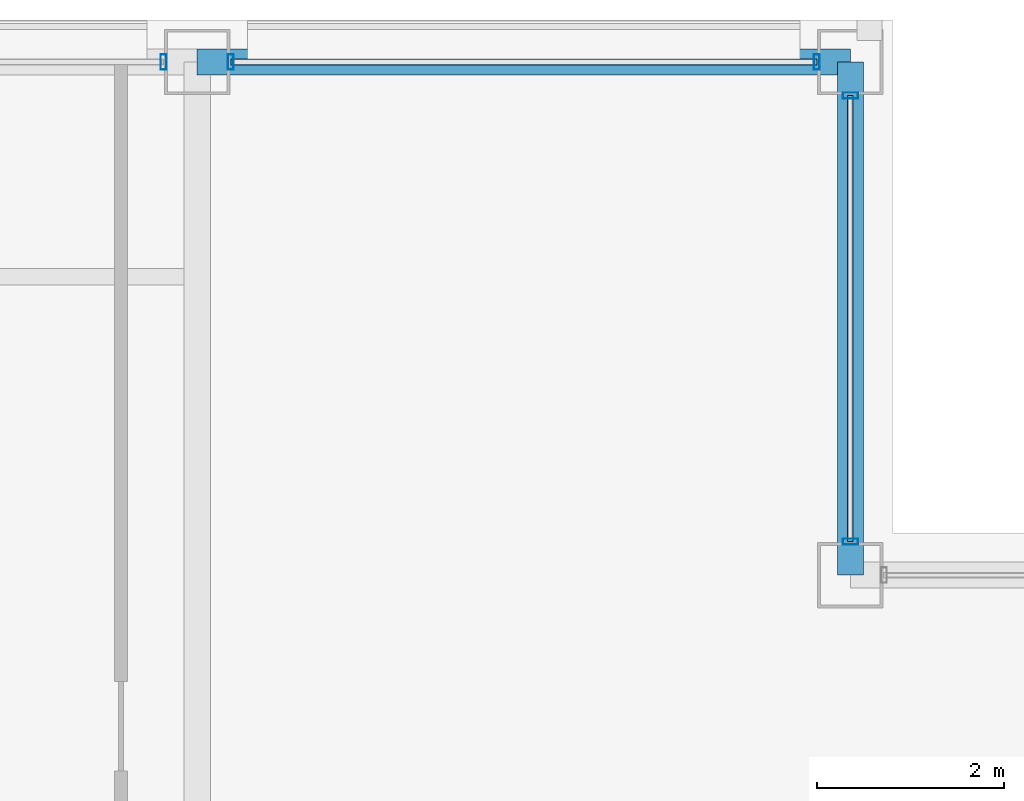
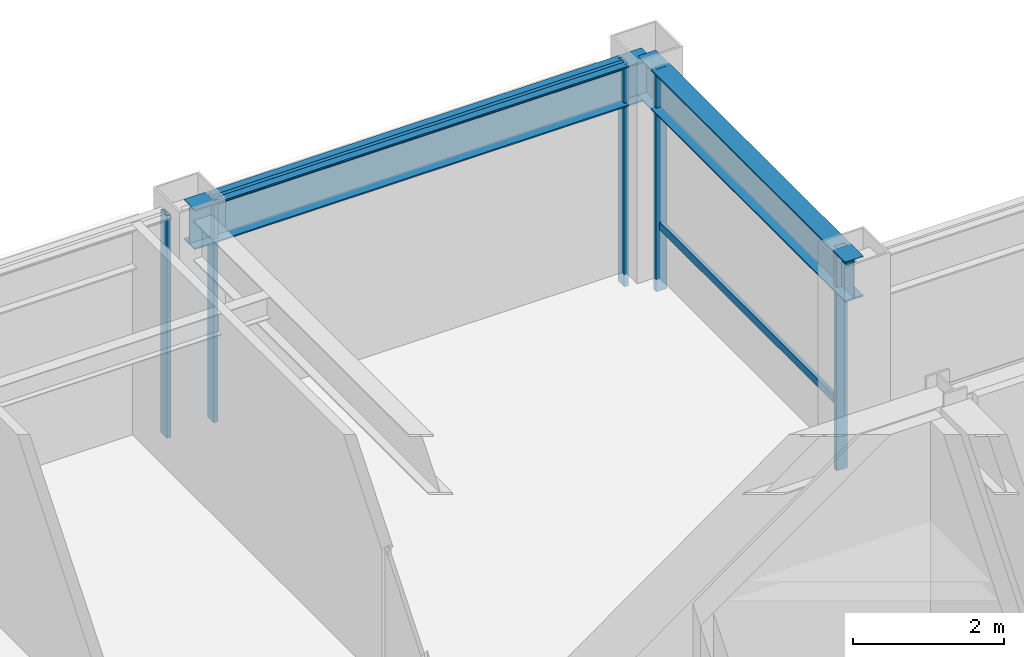
# One storey, part 21 of 28: 7 members, 2 beams, 3 elements without a shape of their own.
"""IFC4 building model written with IfcOpenShell, lengths in metres."""

from ifc_helpers import new_model, si_unit, direction, frame, origin, origin_2d, place, context, subcontext, project, spatial, hollow_rectangle, i_section, extrude, material, layer, layer_set, material_profile, profile_set, type_object, element, aggregate, save


model = new_model("IFC4")

# Units and contexts
model_context = context("Model", 3, precision=1e-05, world=origin(), true_north=direction((0.0, 1.0)))
body_context = subcontext(model_context, "Body", "Model", "MODEL_VIEW")
ifc_project = project(units=[si_unit("LENGTHUNIT", "METRE"), si_unit("AREAUNIT", "SQUARE_METRE"), si_unit("VOLUMEUNIT", "CUBIC_METRE"), si_unit("PLANEANGLEUNIT", "RADIAN"), si_unit("MASSUNIT", "GRAM", prefix="KILO")], contexts=[model_context])

# Site, building, storey
site_placement = place(None, origin())
site = spatial("IfcSite", under=ifc_project, at=site_placement, CompositionType="ELEMENT")
building_placement = place(site_placement, origin())
building = spatial("IfcBuilding", under=site, at=building_placement, Name="Brelmoor Portico Tower", CompositionType="ELEMENT")
storey_placement = place(building_placement, frame((0.0, 0.0, 191.10009765625)))
storey = spatial("IfcBuildingStorey", under=building, at=storey_placement, Name="L50", CompositionType="ELEMENT", Elevation=191.10009765625)

# Beams
ifc_material_1 = material(Name="Steel Q355B", Category="steel")
ifc_material_profile_1 = material_profile(ifc_material_1, i_section(OverallWidth=0.280029296875, OverallDepth=0.64990234375, WebThickness=0.012939453125, FlangeThickness=0.02197265625, at=origin_2d()), Name="HN 650x280x13x22")
ifc_profile_set_1 = profile_set([ifc_material_profile_1], Name="Steel Q355B")
beam_type = type_object("IfcBeamType", Name="BM-SP-650", PredefinedType="SPANDREL", material=ifc_profile_set_1)
beam_1_placement = place(storey_placement, frame((8.050048828125, 18.550048828125, 3.074951171875), z_axis=(1.0, 0.0, 0.0), x_axis=(0.0, 1.0, 0.0)))
element("IfcBeam", 1, at=beam_1_placement, inside=storey, type_object=beam_type, Name="L50 Perimeter Spandrel Beam SP-10", PredefinedType="SPANDREL", context=body_context, shape_type="SweptSolid", body=[
    extrude(i_section(OverallWidth=0.280029296875, OverallDepth=0.64990234375, WebThickness=0.012939453125, FlangeThickness=0.02197265625, at=origin_2d()), origin(), (0.0, 0.0, 1.0), 7.0),
])
beam_2_placement = place(storey_placement, frame((15.050048828125, 13.050048828125, 3.074951171875), z_axis=(0.0, 1.0, 0.0), x_axis=(-1.0, 0.0, 0.0)))
element("IfcBeam", 2, at=beam_2_placement, inside=storey, type_object=beam_type, Name="L50 Perimeter Spandrel Beam SP-17", PredefinedType="SPANDREL", context=body_context, shape_type="SweptSolid", body=[
    extrude(i_section(OverallWidth=0.280029296875, OverallDepth=0.64990234375, WebThickness=0.012939453125, FlangeThickness=0.02197265625, at=origin_2d()), origin(), (0.0, 0.0, 1.0), 5.5),
])

# Curtain wall, member
ifc_material_2 = material(Name="Anodised Aluminium Alloy 6063-T6", Category="aluminium")
ifc_layer_1 = layer(ifc_material_2, 0.179931640625)
ifc_layer_set_1 = layer_set([ifc_layer_1], Name="Anodised Aluminium Alloy 6063-T6")
curtain_wall_type_1 = type_object("IfcCurtainWallType", Name="CW-TOWER-Z3-XB", PredefinedType="NOTDEFINED", material=ifc_layer_set_1)
curtain_wall_1_placement = place(storey_placement, origin())
curtain_wall_1 = element("IfcCurtainWall", 3, at=curtain_wall_1_placement, inside=storey, type_object=curtain_wall_type_1, Name="L50 Curtain Wall CW-L50-02-2", PredefinedType="NOTDEFINED")
ifc_material_profile_2 = material_profile(ifc_material_2, hollow_rectangle(XDim=0.06494140625, YDim=0.1650390625, WallThickness=0.00390625, at=origin_2d()), Name="ALU MULLION 65x165")
ifc_profile_set_2 = profile_set([ifc_material_profile_2], Name="Anodised Aluminium Alloy 6063-T6")
member_type_1 = type_object("IfcMemberType", Name="MB-CW-MULL-165", PredefinedType="MULLION", material=ifc_profile_set_2)
member_1_placement = place(storey_placement, frame((7.68994140625, 18.550048828125, -0.2001953125), z_axis=(0.0, 0.0, 1.0), x_axis=(1.0, 0.0, 0.0)))
member_1 = element("IfcMember", 4, at=member_1_placement, type_object=member_type_1, Name="CW-L50-02-2 Mullion 01", PredefinedType="MULLION", context=body_context, shape_type="SweptSolid", body=[
    extrude(hollow_rectangle(XDim=0.06494140625, YDim=0.1650390625, WallThickness=0.00390625, at=origin_2d()), origin(), (0.0, 0.0, 1.0), 3.60009765625),
])
aggregate(curtain_wall_1, [member_1])

# Curtain wall, members
curtain_wall_2_placement = place(storey_placement, origin())
curtain_wall_2 = element("IfcCurtainWall", 5, at=curtain_wall_2_placement, inside=storey, type_object=curtain_wall_type_1, Name="L50 Curtain Wall CW-L50-02-3", PredefinedType="NOTDEFINED")
member_2_placement = place(storey_placement, frame((8.409912109375, 18.550048828125, -0.2001953125), z_axis=(0.0, 0.0, 1.0), x_axis=(1.0, 0.0, 0.0)))
member_2 = element("IfcMember", 6, at=member_2_placement, type_object=member_type_1, Name="CW-L50-02-3 Mullion 00", PredefinedType="MULLION", context=body_context, shape_type="SweptSolid", body=[
    extrude(hollow_rectangle(XDim=0.06494140625, YDim=0.1650390625, WallThickness=0.00390625, at=origin_2d()), origin(), (0.0, 0.0, 1.0), 3.60009765625),
])
member_3_placement = place(storey_placement, frame((14.68994140625, 18.550048828125, -0.2001953125), z_axis=(0.0, 0.0, 1.0), x_axis=(1.0, 0.0, 0.0)))
member_3 = element("IfcMember", 7, at=member_3_placement, type_object=member_type_1, Name="CW-L50-02-3 Mullion 01", PredefinedType="MULLION", context=body_context, shape_type="SweptSolid", body=[
    extrude(hollow_rectangle(XDim=0.06494140625, YDim=0.1650390625, WallThickness=0.00390625, at=origin_2d()), origin(), (0.0, 0.0, 1.0), 3.60009765625),
])

ifc_layer_2 = layer(ifc_material_2, 0.179931640625)
ifc_layer_set_2 = layer_set([ifc_layer_2], Name="Anodised Aluminium Alloy 6063-T6")
curtain_wall_type_2 = type_object("IfcCurtainWallType", Name="CW-NOTCH-CHAMFER", PredefinedType="NOTDEFINED", material=ifc_layer_set_2)
curtain_wall_3_placement = place(storey_placement, origin())
curtain_wall_3 = element("IfcCurtainWall", 8, at=curtain_wall_3_placement, inside=storey, type_object=curtain_wall_type_2, Name="L50 Curtain Wall CWN-L50-NEV", PredefinedType="NOTDEFINED")
member_4_placement = place(storey_placement, frame((15.050048828125, 13.409912109375, -0.2001953125), z_axis=(0.0, 0.0, 1.0), x_axis=(0.0, 1.0, 0.0)))
member_4 = element("IfcMember", 9, at=member_4_placement, type_object=member_type_1, Name="CWN-L50-NEV Mullion 00", PredefinedType="MULLION", context=body_context, shape_type="SweptSolid", body=[
    extrude(hollow_rectangle(XDim=0.06494140625, YDim=0.1650390625, WallThickness=0.00390625, at=origin_2d()), origin(), (0.0, 0.0, 1.0), 3.60009765625),
])
member_5_placement = place(storey_placement, frame((15.050048828125, 18.18994140625, -0.2001953125), z_axis=(0.0, 0.0, 1.0), x_axis=(0.0, 1.0, 0.0)))
member_5 = element("IfcMember", 10, at=member_5_placement, type_object=member_type_1, Name="CWN-L50-NEV Mullion 01", PredefinedType="MULLION", context=body_context, shape_type="SweptSolid", body=[
    extrude(hollow_rectangle(XDim=0.06494140625, YDim=0.1650390625, WallThickness=0.00390625, at=origin_2d()), origin(), (0.0, 0.0, 1.0), 3.60009765625),
])

# Member
ifc_material_profile_3 = material_profile(ifc_material_2, hollow_rectangle(XDim=0.06005859375, YDim=0.125, WallThickness=0.00341796875, at=origin_2d()), Name="ALU TRANSOM 60x125")
ifc_profile_set_3 = profile_set([ifc_material_profile_3], Name="Anodised Aluminium Alloy 6063-T6")
member_type_2 = type_object("IfcMemberType", Name="MB-CW-TRAN-125", PredefinedType="USERDEFINED", material=ifc_profile_set_3)
member_6_placement = place(storey_placement, frame((8.409912109375, 18.550048828125, 3.33740234375), z_axis=(1.0, 0.0, 0.0), x_axis=(0.0, 1.0, 0.0)))
member_6 = element("IfcMember", 11, at=member_6_placement, type_object=member_type_2, Name="CW-L50-02-3 Transom 1-00", ObjectType="TRANSOM", PredefinedType="USERDEFINED", context=body_context, shape_type="SweptSolid", body=[
    extrude(hollow_rectangle(XDim=0.06005859375, YDim=0.125, WallThickness=0.00341796875, at=origin_2d()), origin(), (0.0, 0.0, 1.0), 6.280029296875),
])

aggregate(curtain_wall_2, [member_2, member_3, member_6])

member_7_placement = place(storey_placement, frame((15.050048828125, 13.409912109375, 0.849853515625), z_axis=(0.0, 1.0, 0.0), x_axis=(-1.0, 0.0, 0.0)))
member_7 = element("IfcMember", 12, at=member_7_placement, type_object=member_type_2, Name="CWN-L50-NEV Transom 1-00", ObjectType="TRANSOM", PredefinedType="USERDEFINED", context=body_context, shape_type="SweptSolid", body=[
    extrude(hollow_rectangle(XDim=0.06005859375, YDim=0.125, WallThickness=0.00341796875, at=origin_2d()), origin(), (0.0, 0.0, 1.0), 4.780029296875),
])

aggregate(curtain_wall_3, [member_4, member_5, member_7])

save(model, "model.ifc")
